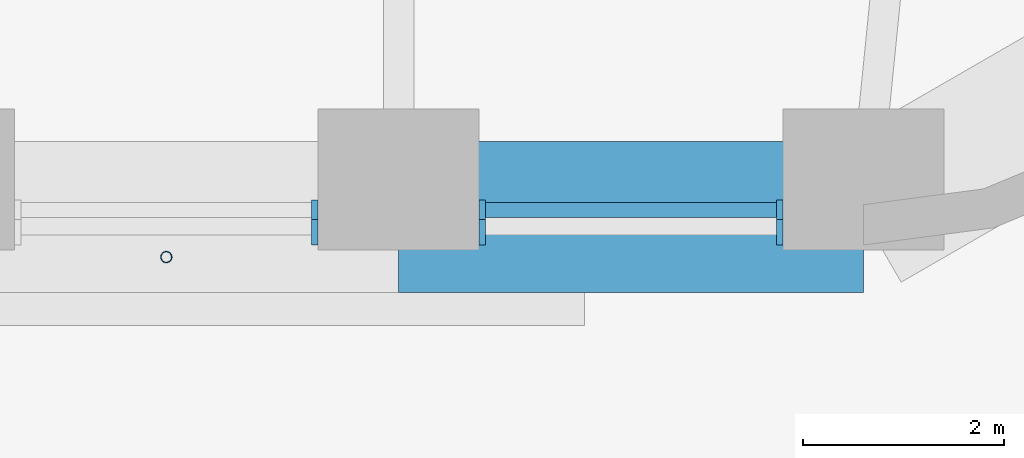
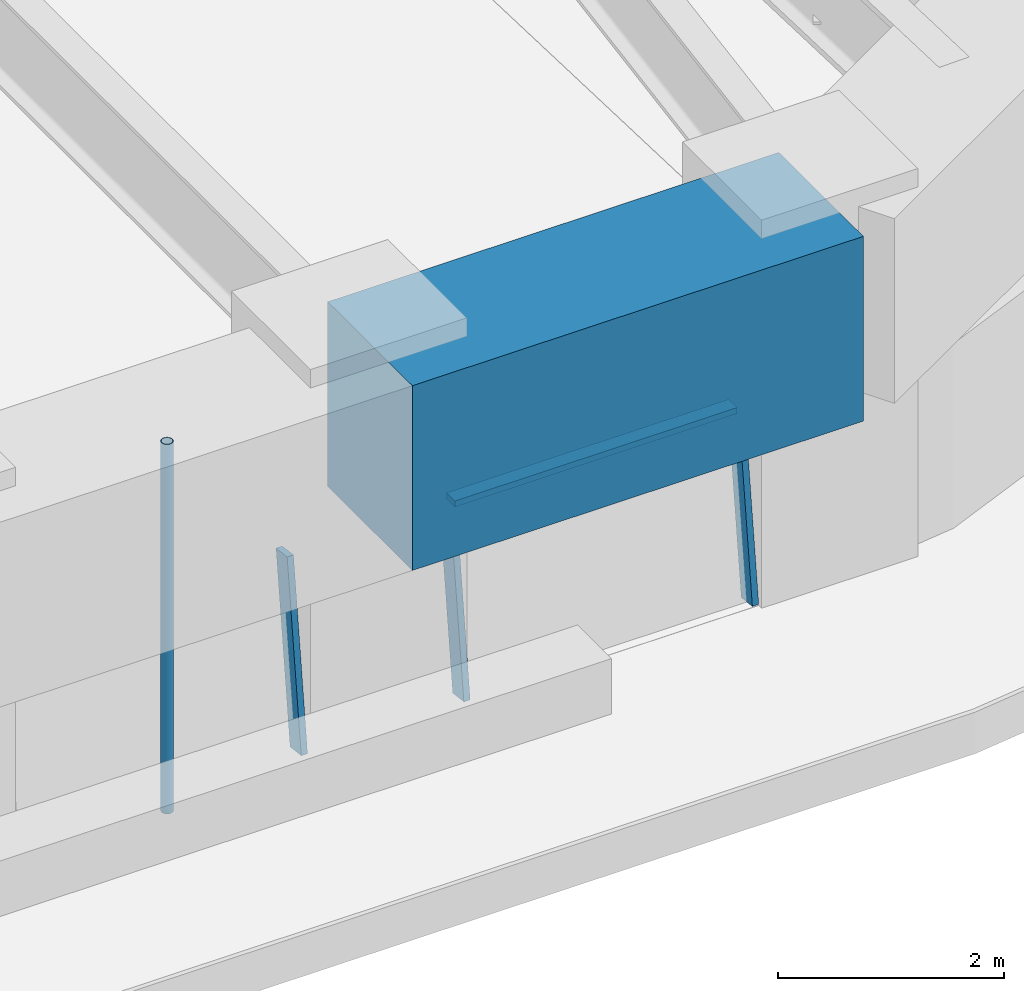
# One storey, part 4 of 20: 5 members, 1 beam, 2 elements without a shape of their own.
"""IFC4 building model written with IfcOpenShell, lengths in metres."""

import ifcopenshell
import ifcopenshell.guid

model = None  # the IFC model being written
_history = None  # IfcOwnerHistory: only IFC2X3 demands one
_inside = {}  # id of a spatial element -> (the spatial element, [elements in it])
_under = {}  # id of a project, library or spatial element -> (it, [spatial elements below it])
_declared = {}  # id of a project -> (the project, [libraries it declares])
_typed = {}  # id of a type object -> (the type object, [elements of that type])
_made_of = {}  # id of a material, layer set ... -> (it, [elements and type objects made of it])


def new_model(schema):
    """Start an empty IFC model of exactly this schema.

    Asked for "IFC4X3", IfcOpenShell would pick the latest addendum, in which some entities
    have other attributes; the version numbers below select the first issue.
    IFC2X3 requires an IfcOwnerHistory on every rooted entity: one is made here for all.
    """
    global model, _history
    if schema == "IFC4X3":
        model = ifcopenshell.file(schema_version=(4, 3, 0, 0))
    else:
        model = ifcopenshell.file(schema=schema)
    _inside.clear()
    _under.clear()
    _declared.clear()
    _typed.clear()
    _made_of.clear()
    _history = None
    if model.schema == "IFC2X3":
        org = make("IfcOrganization", Name="unknown")
        user = make(
            "IfcPersonAndOrganization",
            ThePerson=make("IfcPerson", FamilyName="unknown"),
            TheOrganization=org,
        )
        app = make(
            "IfcApplication",
            ApplicationDeveloper=org,
            Version="unknown",
            ApplicationFullName="unknown",
            ApplicationIdentifier="unknown",
        )
        _history = make(
            "IfcOwnerHistory",
            OwningUser=user,
            OwningApplication=app,
            ChangeAction="ADDED",
            CreationDate=0,
        )
    return model


def make(cls, **values):
    """One entity of the class cls with the attributes given. An attribute that is None is left unset."""
    return model.create_entity(
        cls, **{name: value for name, value in values.items() if value is not None}
    )


def rooted(cls, **values):
    """An entity with a GlobalId (a new one), such as an element, a storey or a relation."""
    return make(cls, GlobalId=ifcopenshell.guid.new(), OwnerHistory=_history, **values)


def si_unit(unit_type, name, prefix=None):
    """IfcSIUnit, for example si_unit("LENGTHUNIT", "METRE", prefix="MILLI")."""
    return make("IfcSIUnit", UnitType=unit_type, Prefix=prefix, Name=name)


def assignment(units):
    """IfcUnitAssignment: the units of a project."""
    return None if units is None else make("IfcUnitAssignment", Units=units)


def point(xyz):
    """IfcCartesianPoint."""
    return None if xyz is None else make("IfcCartesianPoint", Coordinates=xyz)


def direction(xyz):
    """IfcDirection."""
    return None if xyz is None else make("IfcDirection", DirectionRatios=xyz)


def frame(location, z_axis=None, x_axis=None):
    """IfcAxis2Placement3D, a coordinate frame: its origin and axes. An axis left out is left unset."""
    return make(
        "IfcAxis2Placement3D",
        Location=point(location),
        Axis=direction(z_axis),
        RefDirection=direction(x_axis),
    )


def frame_2d(location, x_axis=None):
    """IfcAxis2Placement2D, a coordinate frame in the plane: its origin and x axis."""
    return make(
        "IfcAxis2Placement2D", Location=point(location), RefDirection=direction(x_axis)
    )


def origin():
    """The frame at (0, 0, 0) with its axes left unset."""
    return frame((0.0, 0.0, 0.0))


def origin_2d():
    """The frame at (0, 0) in the plane with its x axis left unset."""
    return frame_2d((0.0, 0.0))


def place(relative_to, where):
    """IfcLocalPlacement: puts the frame where relative to a parent placement (None: the world)."""
    return make(
        "IfcLocalPlacement", PlacementRelTo=relative_to, RelativePlacement=where
    )


def context(
    kind, dimensions, precision=None, world=None, true_north=None, identifier=None
):
    """IfcGeometricRepresentationContext, for example the 3D "Model" context."""
    return make(
        "IfcGeometricRepresentationContext",
        ContextIdentifier=identifier,
        ContextType=kind,
        CoordinateSpaceDimension=dimensions,
        Precision=precision,
        WorldCoordinateSystem=world,
        TrueNorth=true_north,
    )


def subcontext(parent, identifier, kind, view, scale=None):
    """IfcGeometricRepresentationSubContext, for example "Body" below "Model"."""
    return make(
        "IfcGeometricRepresentationSubContext",
        ContextIdentifier=identifier,
        ContextType=kind,
        ParentContext=parent,
        TargetScale=scale,
        TargetView=view,
    )


def project(units=None, contexts=None):
    """IfcProject with its units and contexts."""
    return rooted(
        "IfcProject",
        Name="project",
        RepresentationContexts=contexts,
        UnitsInContext=assignment(units),
    )


def spatial(cls, under=None, at=None, **own):
    """A site, building, storey or space (cls), placed at a placement, below another one or the project."""
    s = rooted(cls, ObjectPlacement=at, **own)
    if under is not None:
        _under.setdefault(under.id(), (under, []))[1].append(s)
    return s


def profile(cls, at=None, kind="AREA", **sizes):
    """A parametric profile (cls). Its sizes go by their IFC names, for example OverallWidth=200.0."""
    return make(cls, ProfileType=kind, Position=at, **sizes)


def rectangle(**sizes):
    """IfcRectangleProfileDef."""
    return profile("IfcRectangleProfileDef", **sizes)


def hollow_circle(**sizes):
    """IfcCircleHollowProfileDef."""
    return profile("IfcCircleHollowProfileDef", **sizes)


def extrude(swept, where, along, depth):
    """IfcExtrudedAreaSolid: the profile swept, set in the frame where, extruded along a direction by depth."""
    return make(
        "IfcExtrudedAreaSolid",
        SweptArea=swept,
        Position=where,
        ExtrudedDirection=direction(along),
        Depth=depth,
    )


def shape(context_of_items, identifier, shape_type, items):
    """IfcShapeRepresentation: the items that make up one representation, for example the "Body"."""
    return make(
        "IfcShapeRepresentation",
        ContextOfItems=context_of_items,
        RepresentationIdentifier=identifier,
        RepresentationType=shape_type,
        Items=items,
    )


def material(Name=None, Category=None):
    """IfcMaterial."""
    return make("IfcMaterial", Name=Name, Category=Category)


def material_profile(
    of_material, cross_section, Name=None, Category=None, Priority=None
):
    """IfcMaterialProfile: a cross section and its material."""
    return make(
        "IfcMaterialProfile",
        Name=Name,
        Material=of_material,
        Profile=cross_section,
        Priority=Priority,
        Category=Category,
    )


def profile_set(profiles, Name=None, composite=None):
    """IfcMaterialProfileSet."""
    return make(
        "IfcMaterialProfileSet",
        Name=Name,
        MaterialProfiles=profiles,
        CompositeProfile=composite,
    )


def made_of(thing, what):
    """Note that an element or type object is made of a material, layer set ...; save() writes the relation."""
    if what is not None:
        _made_of.setdefault(what.id(), (what, []))[1].append(thing)
    return thing


def type_object(cls, material=None, **own):
    """A type object (cls), such as IfcWallType, which elements share."""
    return made_of(rooted(cls, **own), material)


def element(
    cls,
    number,
    at=None,
    inside=None,
    cuts=None,
    type_object=None,
    material=None,
    context=None,
    identifier="Body",
    shape_type=None,
    held_by="IfcProductDefinitionShape",
    body=None,
    shapes=None,
    **own,
):
    """One element of the class cls, such as IfcWall. Its Tag is "e" and its number.

    at: its placement. inside: the storey or other place that contains it. cuts: it is an
    opening in that element (IfcRelVoidsElement). A single representation is given by context,
    identifier, shape_type and body (its items); several are given by shapes. held_by: the class
    of the entity that holds the representations. save() writes the other relations.
    """
    e = rooted(cls, Tag="e%d" % number, ObjectPlacement=at, **own)
    if body is not None:
        shapes = [shape(context, identifier, shape_type, body)]
    if shapes is not None:
        e.Representation = make(held_by, Representations=shapes)
    if inside is not None:
        _inside.setdefault(inside.id(), (inside, []))[1].append(e)
    if cuts is not None:
        rooted(
            "IfcRelVoidsElement", RelatingBuildingElement=cuts, RelatedOpeningElement=e
        )
    if type_object is not None:
        _typed.setdefault(type_object.id(), (type_object, []))[1].append(e)
    return made_of(e, material)


def aggregate(whole, parts):
    """IfcRelAggregates: a whole, such as a stair, and the parts it consists of."""
    return rooted("IfcRelAggregates", RelatingObject=whole, RelatedObjects=parts)


def save(model, path):
    """Write the relations noted so far, then the file.

    IfcRelAggregates (storeys below a building ...), IfcRelContainedInSpatialStructure (elements
    in a storey), IfcRelDefinesByType, IfcRelAssociatesMaterial and IfcRelDeclares: one each for
    every whole, place, type object, material and project.
    """
    for whole, parts in _under.values():
        aggregate(whole, parts)
    for where, things in _inside.values():
        rooted(
            "IfcRelContainedInSpatialStructure",
            RelatedElements=things,
            RelatingStructure=where,
        )
    for kind, things in _typed.values():
        rooted("IfcRelDefinesByType", RelatedObjects=things, RelatingType=kind)
    for what, things in _made_of.values():
        rooted("IfcRelAssociatesMaterial", RelatedObjects=things, RelatingMaterial=what)
    for by, libraries in _declared.values():
        rooted("IfcRelDeclares", RelatingContext=by, RelatedDefinitions=libraries)
    model.write(path)


model = new_model("IFC4")

# Units and contexts
model_context = context("Model", 3, precision=1e-05, world=origin(), true_north=direction((0.0, 1.0)))
body_context = subcontext(model_context, "Body", "Model", "MODEL_VIEW")
ifc_project = project(units=[si_unit("LENGTHUNIT", "METRE"), si_unit("AREAUNIT", "SQUARE_METRE"), si_unit("VOLUMEUNIT", "CUBIC_METRE"), si_unit("PLANEANGLEUNIT", "RADIAN"), si_unit("MASSUNIT", "GRAM", prefix="KILO")], contexts=[model_context])

# Site, building, storey
site_placement = place(None, origin())
site = spatial("IfcSite", under=ifc_project, at=site_placement, CompositionType="ELEMENT")
building_placement = place(site_placement, origin())
building = spatial("IfcBuilding", under=site, at=building_placement, Name="Tarfa Lantern Tower", CompositionType="ELEMENT")
storey_placement = place(building_placement, frame((0.0, 0.0, 219.699951171875)))
storey = spatial("IfcBuildingStorey", under=building, at=storey_placement, Name="L49", CompositionType="ELEMENT", Elevation=219.699951171875)

# Curtain wall, member
ifc_material_1 = material(Name="Aluminium framed curtain wall", Category="aluminium")
curtain_wall_type = type_object("IfcCurtainWallType", Name="CW3 CANTED GLAZING HIGH ZONE 2000", PredefinedType="USERDEFINED", material=ifc_material_1)
curtain_wall_1_placement = place(storey_placement, origin())
curtain_wall_1 = element("IfcCurtainWall", 1, at=curtain_wall_1_placement, inside=storey, type_object=curtain_wall_type, Name="CW3 S L49", ObjectType="CURTAIN WALL", PredefinedType="USERDEFINED")
ifc_material_2 = material(Name="Aluminium mullion", Category="aluminium")
ifc_material_profile_1 = material_profile(ifc_material_2, rectangle(XDim=0.06494140625, YDim=0.199951171875, at=origin_2d()), Name="AL MULLION 65x200")
ifc_profile_set_1 = profile_set([ifc_material_profile_1], Name="Aluminium mullion")
member_type_1 = type_object("IfcMemberType", Name="CWM1 MULLION 65x200", PredefinedType="MULLION", material=ifc_profile_set_1)
member_1_placement = place(storey_placement, frame((8.405029296875, -28.89990234375, 0.0), z_axis=(0.0, 0.124034734589, 0.992277876714), x_axis=(-1.0, 0.0, 0.0)))
member_1 = element("IfcMember", 2, at=member_1_placement, type_object=member_type_1, Name="CW3 mullion 2", PredefinedType="MULLION", context=body_context, shape_type="SweptSolid", body=[
    extrude(rectangle(XDim=0.06494140625, YDim=0.199951171875, at=origin_2d()), origin(), (0.0, 0.0, 1.0), 2.015625),
])
aggregate(curtain_wall_1, [member_1])

# Curtain wall, members
curtain_wall_2_placement = place(storey_placement, origin())
curtain_wall_2 = element("IfcCurtainWall", 3, at=curtain_wall_2_placement, inside=storey, type_object=curtain_wall_type, Name="CW3 S L49", ObjectType="CURTAIN WALL", PredefinedType="USERDEFINED")
member_2_placement = place(storey_placement, frame((10.070068359375, -28.89990234375, 0.0), z_axis=(0.0, 0.124034734589, 0.992277876714), x_axis=(-1.0, 0.0, 0.0)))
member_2 = element("IfcMember", 4, at=member_2_placement, type_object=member_type_1, Name="CW3 mullion 1", PredefinedType="MULLION", context=body_context, shape_type="SweptSolid", body=[
    extrude(rectangle(XDim=0.06494140625, YDim=0.199951171875, at=origin_2d()), origin(), (0.0, 0.0, 1.0), 2.015625),
])
member_3_placement = place(storey_placement, frame((13.02392578125, -28.89990234375, 0.0), z_axis=(0.0, 0.124034734589, 0.992277876714), x_axis=(-1.0, 0.0, 0.0)))
member_3 = element("IfcMember", 5, at=member_3_placement, type_object=member_type_1, Name="CW3 mullion 2", PredefinedType="MULLION", context=body_context, shape_type="SweptSolid", body=[
    extrude(rectangle(XDim=0.06494140625, YDim=0.199951171875, at=origin_2d()), origin(), (0.0, 0.0, 1.0), 2.015625),
])
ifc_material_3 = material(Name="Aluminium transom", Category="aluminium")
ifc_material_profile_2 = material_profile(ifc_material_3, rectangle(XDim=0.14990234375, YDim=0.06494140625, at=origin_2d()), Name="AL TRANSOM 150x65")
ifc_profile_set_2 = profile_set([ifc_material_profile_2], Name="Aluminium transom")
member_type_2 = type_object("IfcMemberType", Name="CWT1 TRANSOM 150x65", PredefinedType="USERDEFINED", material=ifc_profile_set_2)
member_4_placement = place(storey_placement, frame((10.1025390625, -28.654052734375, 1.967529296875), z_axis=(1.0, 0.0, 0.0), x_axis=(0.0, 1.0, 0.0)))
member_4 = element("IfcMember", 6, at=member_4_placement, type_object=member_type_2, Name="CW3 transom 1.2", ObjectType="TRANSOM", PredefinedType="USERDEFINED", context=body_context, shape_type="SweptSolid", body=[
    extrude(rectangle(XDim=0.14990234375, YDim=0.06494140625, at=origin_2d()), origin(), (0.0, 0.0, 1.0), 2.888916015625),
])
aggregate(curtain_wall_2, [member_2, member_3, member_4])

# Beam
ifc_material_4 = material(Name="Concrete C80/95", Category="concrete")
ifc_material_profile_3 = material_profile(ifc_material_4, rectangle(XDim=1.5, YDim=2.0, at=origin_2d()), Name="RC 1500x2000")
ifc_profile_set_3 = profile_set([ifc_material_profile_3], Name="Concrete C80/95")
beam_type = type_object("IfcBeamType", Name="RB3 RC 1500x2000", PredefinedType="BEAM", material=ifc_profile_set_3)
beam_placement = place(storey_placement, frame((9.237548828125, -28.719970703125, 3.0), z_axis=(1.0, 0.0, 0.0), x_axis=(0.0, 1.0, 0.0)))
element("IfcBeam", 7, at=beam_placement, inside=storey, type_object=beam_type, Name="Edge beam S5", PredefinedType="BEAM", context=body_context, shape_type="SweptSolid", body=[
    extrude(rectangle(XDim=1.5, YDim=2.0, at=origin_2d()), origin(), (0.0, 0.0, 1.0), 4.618896484375),
])

# Member
ifc_material_5 = material(Name="Steel S355", Category="steel")
ifc_material_profile_4 = material_profile(ifc_material_5, hollow_circle(Radius=0.05712890625, WallThickness=0.00634765625, at=origin_2d()), Name="CHS114.3x6.3")
ifc_profile_set_4 = profile_set([ifc_material_profile_4], Name="Steel S355")
member_type_3 = type_object("IfcMemberType", Name="TR1 GREEN WALL TRELLIS CHS114.3x6.3", PredefinedType="USERDEFINED", material=ifc_profile_set_4)
member_5_placement = place(storey_placement, frame((6.92822265625, -29.1201171875, 0.0), z_axis=(0.0, 0.0, 1.0), x_axis=(1.0, 0.0, 0.0)))
element("IfcMember", 8, at=member_5_placement, inside=storey, type_object=member_type_3, Name="Trellis post S 2", ObjectType="TRELLIS", PredefinedType="USERDEFINED", context=body_context, shape_type="SweptSolid", body=[
    extrude(hollow_circle(Radius=0.05712890625, WallThickness=0.00634765625, at=origin_2d()), origin(), (0.0, 0.0, 1.0), 4.0),
])

save(model, "model.ifc")
